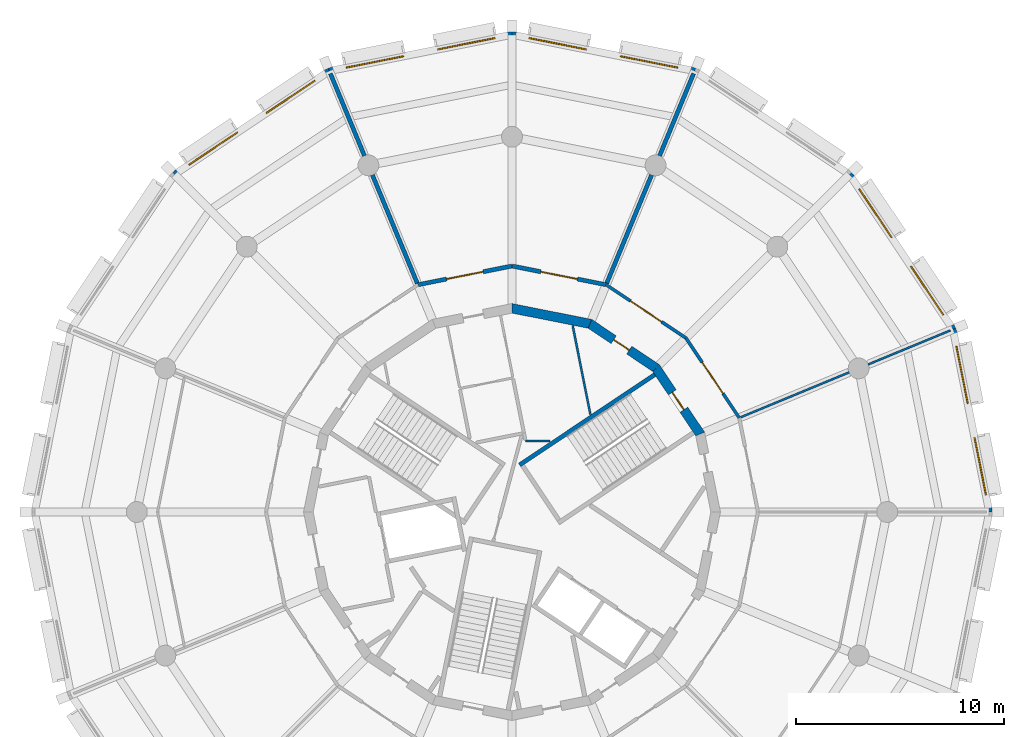
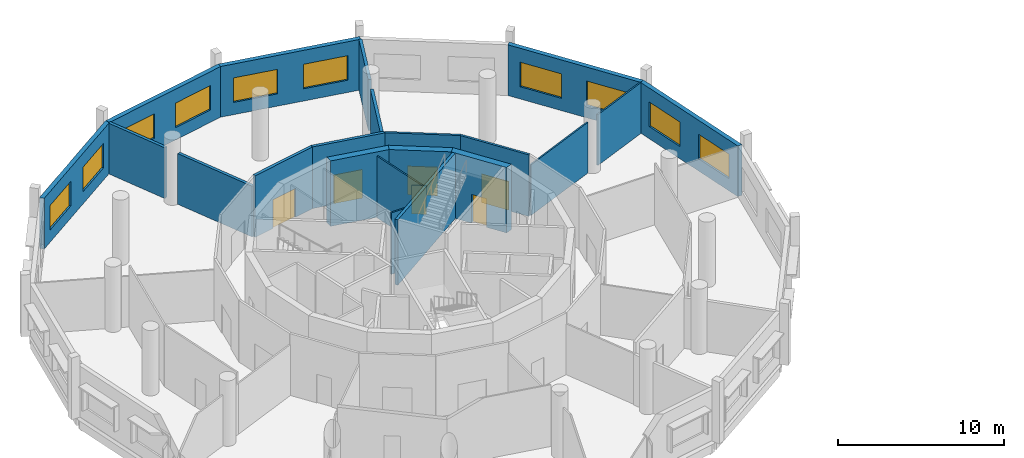
# One storey, part 6 of 8: 21 walls, 10 windows, 6 doors, 16 openings.
"""IFC4 building model written with IfcOpenShell, lengths in metres."""

import ifcopenshell
import ifcopenshell.guid

model = None  # the IFC model being written
_history = None  # IfcOwnerHistory: only IFC2X3 demands one
_inside = {}  # id of a spatial element -> (the spatial element, [elements in it])
_under = {}  # id of a project, library or spatial element -> (it, [spatial elements below it])
_declared = {}  # id of a project -> (the project, [libraries it declares])
_typed = {}  # id of a type object -> (the type object, [elements of that type])
_made_of = {}  # id of a material, layer set ... -> (it, [elements and type objects made of it])


def new_model(schema):
    """Start an empty IFC model of exactly this schema.

    Asked for "IFC4X3", IfcOpenShell would pick the latest addendum, in which some entities
    have other attributes; the version numbers below select the first issue.
    IFC2X3 requires an IfcOwnerHistory on every rooted entity: one is made here for all.
    """
    global model, _history
    if schema == "IFC4X3":
        model = ifcopenshell.file(schema_version=(4, 3, 0, 0))
    else:
        model = ifcopenshell.file(schema=schema)
    _inside.clear()
    _under.clear()
    _declared.clear()
    _typed.clear()
    _made_of.clear()
    _history = None
    if model.schema == "IFC2X3":
        org = make("IfcOrganization", Name="unknown")
        user = make(
            "IfcPersonAndOrganization",
            ThePerson=make("IfcPerson", FamilyName="unknown"),
            TheOrganization=org,
        )
        app = make(
            "IfcApplication",
            ApplicationDeveloper=org,
            Version="unknown",
            ApplicationFullName="unknown",
            ApplicationIdentifier="unknown",
        )
        _history = make(
            "IfcOwnerHistory",
            OwningUser=user,
            OwningApplication=app,
            ChangeAction="ADDED",
            CreationDate=0,
        )
    return model


def make(cls, **values):
    """One entity of the class cls with the attributes given. An attribute that is None is left unset."""
    return model.create_entity(
        cls, **{name: value for name, value in values.items() if value is not None}
    )


def rooted(cls, **values):
    """An entity with a GlobalId (a new one), such as an element, a storey or a relation."""
    return make(cls, GlobalId=ifcopenshell.guid.new(), OwnerHistory=_history, **values)


def si_unit(unit_type, name, prefix=None):
    """IfcSIUnit, for example si_unit("LENGTHUNIT", "METRE", prefix="MILLI")."""
    return make("IfcSIUnit", UnitType=unit_type, Prefix=prefix, Name=name)


def assignment(units):
    """IfcUnitAssignment: the units of a project."""
    return None if units is None else make("IfcUnitAssignment", Units=units)


def point(xyz):
    """IfcCartesianPoint."""
    return None if xyz is None else make("IfcCartesianPoint", Coordinates=xyz)


def direction(xyz):
    """IfcDirection."""
    return None if xyz is None else make("IfcDirection", DirectionRatios=xyz)


def frame(location, z_axis=None, x_axis=None):
    """IfcAxis2Placement3D, a coordinate frame: its origin and axes. An axis left out is left unset."""
    return make(
        "IfcAxis2Placement3D",
        Location=point(location),
        Axis=direction(z_axis),
        RefDirection=direction(x_axis),
    )


def frame_2d(location, x_axis=None):
    """IfcAxis2Placement2D, a coordinate frame in the plane: its origin and x axis."""
    return make(
        "IfcAxis2Placement2D", Location=point(location), RefDirection=direction(x_axis)
    )


def origin():
    """The frame at (0, 0, 0) with its axes left unset."""
    return frame((0.0, 0.0, 0.0))


def place(relative_to, where):
    """IfcLocalPlacement: puts the frame where relative to a parent placement (None: the world)."""
    return make(
        "IfcLocalPlacement", PlacementRelTo=relative_to, RelativePlacement=where
    )


def context(
    kind, dimensions, precision=None, world=None, true_north=None, identifier=None
):
    """IfcGeometricRepresentationContext, for example the 3D "Model" context."""
    return make(
        "IfcGeometricRepresentationContext",
        ContextIdentifier=identifier,
        ContextType=kind,
        CoordinateSpaceDimension=dimensions,
        Precision=precision,
        WorldCoordinateSystem=world,
        TrueNorth=true_north,
    )


def subcontext(parent, identifier, kind, view, scale=None):
    """IfcGeometricRepresentationSubContext, for example "Body" below "Model"."""
    return make(
        "IfcGeometricRepresentationSubContext",
        ContextIdentifier=identifier,
        ContextType=kind,
        ParentContext=parent,
        TargetScale=scale,
        TargetView=view,
    )


def project(units=None, contexts=None):
    """IfcProject with its units and contexts."""
    return rooted(
        "IfcProject",
        Name="project",
        RepresentationContexts=contexts,
        UnitsInContext=assignment(units),
    )


def spatial(cls, under=None, at=None, **own):
    """A site, building, storey or space (cls), placed at a placement, below another one or the project."""
    s = rooted(cls, ObjectPlacement=at, **own)
    if under is not None:
        _under.setdefault(under.id(), (under, []))[1].append(s)
    return s


def polyline(points):
    """IfcPolyline through the points."""
    return make("IfcPolyline", Points=[point(p) for p in points])


def profile(cls, at=None, kind="AREA", **sizes):
    """A parametric profile (cls). Its sizes go by their IFC names, for example OverallWidth=200.0."""
    return make(cls, ProfileType=kind, Position=at, **sizes)


def rectangle(**sizes):
    """IfcRectangleProfileDef."""
    return profile("IfcRectangleProfileDef", **sizes)


def outline(outer, holes=None, kind="AREA"):
    """IfcArbitraryClosedProfileDef: a profile drawn as a closed curve; with holes, ...WithVoids."""
    if holes is None:
        return make("IfcArbitraryClosedProfileDef", ProfileType=kind, OuterCurve=outer)
    return make(
        "IfcArbitraryProfileDefWithVoids",
        ProfileType=kind,
        OuterCurve=outer,
        InnerCurves=holes,
    )


def extrude(swept, where, along, depth):
    """IfcExtrudedAreaSolid: the profile swept, set in the frame where, extruded along a direction by depth."""
    return make(
        "IfcExtrudedAreaSolid",
        SweptArea=swept,
        Position=where,
        ExtrudedDirection=direction(along),
        Depth=depth,
    )


def shape(context_of_items, identifier, shape_type, items):
    """IfcShapeRepresentation: the items that make up one representation, for example the "Body"."""
    return make(
        "IfcShapeRepresentation",
        ContextOfItems=context_of_items,
        RepresentationIdentifier=identifier,
        RepresentationType=shape_type,
        Items=items,
    )


def material(Name=None, Category=None):
    """IfcMaterial."""
    return make("IfcMaterial", Name=Name, Category=Category)


def layer(
    of_material, thickness, ventilated=None, Name=None, Category=None, Priority=None
):
    """IfcMaterialLayer: one layer of a wall or slab, of a material (None: an air gap)."""
    return make(
        "IfcMaterialLayer",
        Material=of_material,
        LayerThickness=thickness,
        IsVentilated=ventilated,
        Name=Name,
        Category=Category,
        Priority=Priority,
    )


def layer_set(layers, Name=None):
    """IfcMaterialLayerSet."""
    return make("IfcMaterialLayerSet", MaterialLayers=layers, LayerSetName=Name)


def made_of(thing, what):
    """Note that an element or type object is made of a material, layer set ...; save() writes the relation."""
    if what is not None:
        _made_of.setdefault(what.id(), (what, []))[1].append(thing)
    return thing


def type_object(cls, material=None, **own):
    """A type object (cls), such as IfcWallType, which elements share."""
    return made_of(rooted(cls, **own), material)


def element(
    cls,
    number,
    at=None,
    inside=None,
    cuts=None,
    type_object=None,
    material=None,
    context=None,
    identifier="Body",
    shape_type=None,
    held_by="IfcProductDefinitionShape",
    body=None,
    shapes=None,
    **own,
):
    """One element of the class cls, such as IfcWall. Its Tag is "e" and its number.

    at: its placement. inside: the storey or other place that contains it. cuts: it is an
    opening in that element (IfcRelVoidsElement). A single representation is given by context,
    identifier, shape_type and body (its items); several are given by shapes. held_by: the class
    of the entity that holds the representations. save() writes the other relations.
    """
    e = rooted(cls, Tag="e%d" % number, ObjectPlacement=at, **own)
    if body is not None:
        shapes = [shape(context, identifier, shape_type, body)]
    if shapes is not None:
        e.Representation = make(held_by, Representations=shapes)
    if inside is not None:
        _inside.setdefault(inside.id(), (inside, []))[1].append(e)
    if cuts is not None:
        rooted(
            "IfcRelVoidsElement", RelatingBuildingElement=cuts, RelatedOpeningElement=e
        )
    if type_object is not None:
        _typed.setdefault(type_object.id(), (type_object, []))[1].append(e)
    return made_of(e, material)


def fill(opening, filler):
    """IfcRelFillsElement: the door or window that sits in an opening."""
    return rooted(
        "IfcRelFillsElement",
        RelatingOpeningElement=opening,
        RelatedBuildingElement=filler,
    )


def aggregate(whole, parts):
    """IfcRelAggregates: a whole, such as a stair, and the parts it consists of."""
    return rooted("IfcRelAggregates", RelatingObject=whole, RelatedObjects=parts)


def save(model, path):
    """Write the relations noted so far, then the file.

    IfcRelAggregates (storeys below a building ...), IfcRelContainedInSpatialStructure (elements
    in a storey), IfcRelDefinesByType, IfcRelAssociatesMaterial and IfcRelDeclares: one each for
    every whole, place, type object, material and project.
    """
    for whole, parts in _under.values():
        aggregate(whole, parts)
    for where, things in _inside.values():
        rooted(
            "IfcRelContainedInSpatialStructure",
            RelatedElements=things,
            RelatingStructure=where,
        )
    for kind, things in _typed.values():
        rooted("IfcRelDefinesByType", RelatedObjects=things, RelatingType=kind)
    for what, things in _made_of.values():
        rooted("IfcRelAssociatesMaterial", RelatedObjects=things, RelatingMaterial=what)
    for by, libraries in _declared.values():
        rooted("IfcRelDeclares", RelatingContext=by, RelatedDefinitions=libraries)
    model.write(path)


model = new_model("IFC4")

# Units and contexts
model_context = context("Model", 3, precision=1e-05, world=origin(), true_north=direction((0.0, 1.0)))
body_context = subcontext(model_context, "Body", "Model", "MODEL_VIEW")
ifc_project = project(units=[si_unit("LENGTHUNIT", "METRE"), si_unit("AREAUNIT", "SQUARE_METRE"), si_unit("VOLUMEUNIT", "CUBIC_METRE"), si_unit("PLANEANGLEUNIT", "RADIAN"), si_unit("MASSUNIT", "GRAM", prefix="KILO")], contexts=[model_context])

# Site, building, storey
site_placement = place(None, origin())
site = spatial("IfcSite", under=ifc_project, at=site_placement, CompositionType="ELEMENT")
building_placement = place(site_placement, origin())
building = spatial("IfcBuilding", under=site, at=building_placement, Name="Ceibo Conservatory and Research Tower", CompositionType="ELEMENT")
storey_placement = place(building_placement, frame((0.0, 0.0, 10.800048828125)))
storey = spatial("IfcBuildingStorey", under=building, at=storey_placement, Name="L02", CompositionType="ELEMENT", Elevation=10.800048828125)

# Wall, opening, door
ifc_material_1 = material(Name="Masonry blockwork", Category="masonry")
ifc_layer_1 = layer(ifc_material_1, 0.199951171875)
ifc_layer_set_1 = layer_set([ifc_layer_1], Name="Masonry blockwork")
wall_type_1 = type_object("IfcWallType", Name="Compartment wall 200 EI 120", PredefinedType="SOLIDWALL", material=ifc_layer_set_1)
wall_1_placement = place(storey_placement, frame((48.0, 131.800048828125, 0.0), z_axis=(0.0, 0.0, 1.0), x_axis=(0.980786124026, -0.19508608079, 0.0)))
wall_1 = element("IfcWall", 1, at=wall_1_placement, inside=storey, type_object=wall_type_1, Name="Partition 02.004", PredefinedType="SOLIDWALL", context=body_context, shape_type="SweptSolid", body=[
    extrude(rectangle(XDim=4.60400390625, YDim=0.199951171875, at=frame_2d((2.302001953125, 0.0))), origin(), (0.0, 0.0, 1.0), 4.52001953125),
])
opening_1_placement = place(wall_1_placement, frame((1.402099609375, 0.0, 0.0)))
opening_1 = element("IfcOpeningElement", 2, at=opening_1_placement, cuts=wall_1, Name="Opening T02-17", PredefinedType="OPENING", context=body_context, shape_type="SweptSolid", body=[
    extrude(rectangle(XDim=1.800048828125, YDim=2.10009765625, at=frame_2d((0.89990234375, 1.050048828125))), frame((0.0, 0.10986328125, 0.0), z_axis=(0.0, -1.0, 0.0), x_axis=(1.0, 0.0, 0.0)), (0.0, 0.0, 1.0), 0.219970703125),
])
ifc_material_2 = material(Name="Galvanised sheet steel DX51D", Category="steel")
door_type_1 = type_object("IfcDoorType", Name="Door fire double 1800x2100 EI 60", OperationType="DOUBLE_DOOR_SINGLE_SWING", PredefinedType="DOOR", material=ifc_material_2)
door_1_placement = place(opening_1_placement, origin())
door_1 = element("IfcDoor", 3, at=door_1_placement, inside=storey, type_object=door_type_1, Name="Door T02-17", OperationType="DOUBLE_DOOR_SINGLE_SWING", OverallHeight=2.10009765625, OverallWidth=1.800048828125, PredefinedType="DOOR", context=body_context, shape_type="SweptSolid", body=[
    extrude(rectangle(XDim=1.800048828125, YDim=2.10009765625, at=frame_2d((0.89990234375, 1.050048828125))), frame((0.0, 0.02490234375, 0.0), z_axis=(0.0, -1.0, 0.0), x_axis=(1.0, 0.0, 0.0)), (0.0, 0.0, 1.0), 0.050048828125),
])
fill(opening_1, door_1)

wall_2_placement = place(storey_placement, frame((43.484375, 130.90185546875, 0.0), z_axis=(0.0, 0.0, 1.0), x_axis=(0.980786124026, 0.19508608079, 0.0)))
wall_2 = element("IfcWall", 4, at=wall_2_placement, inside=storey, type_object=wall_type_1, Name="Partition 02.006", PredefinedType="SOLIDWALL", context=body_context, shape_type="SweptSolid", body=[
    extrude(rectangle(XDim=4.60400390625, YDim=0.199951171875, at=frame_2d((2.302001953125, 0.0))), origin(), (0.0, 0.0, 1.0), 4.52001953125),
])
opening_2_placement = place(wall_2_placement, frame((1.402099609375, 0.0, 0.0)))
opening_2 = element("IfcOpeningElement", 5, at=opening_2_placement, cuts=wall_2, Name="Opening T02-18", PredefinedType="OPENING", context=body_context, shape_type="SweptSolid", body=[
    extrude(rectangle(XDim=1.800048828125, YDim=2.10009765625, at=frame_2d((0.89990234375, 1.050048828125))), frame((0.0, 0.10986328125, 0.0), z_axis=(0.0, -1.0, 0.0), x_axis=(1.0, 0.0, 0.0)), (0.0, 0.0, 1.0), 0.219970703125),
])
door_2_placement = place(opening_2_placement, origin())
door_2 = element("IfcDoor", 6, at=door_2_placement, inside=storey, type_object=door_type_1, Name="Door T02-18", OperationType="DOUBLE_DOOR_SINGLE_SWING", OverallHeight=2.10009765625, OverallWidth=1.800048828125, PredefinedType="DOOR", context=body_context, shape_type="SweptSolid", body=[
    extrude(rectangle(XDim=1.800048828125, YDim=2.10009765625, at=frame_2d((0.89990234375, 1.050048828125))), frame((0.0, 0.02490234375, 0.0), z_axis=(0.0, -1.0, 0.0), x_axis=(1.0, 0.0, 0.0)), (0.0, 0.0, 1.0), 0.050048828125),
])
fill(opening_2, door_2)

# Walls
wall_3_placement = place(storey_placement, frame((52.54296875, 130.9677734375, 0.0), z_axis=(0.0, 0.0, 1.0), x_axis=(0.38266536058, 0.923887017883, 0.0)))
element("IfcWall", 7, at=wall_3_placement, inside=storey, type_object=wall_type_1, Name="Partition 02.047", PredefinedType="SOLIDWALL", context=body_context, shape_type="SweptSolid", body=[
    extrude(rectangle(XDim=5.638671875, YDim=0.199951171875, at=frame_2d((2.8193359375, 0.0))), origin(), (0.0, 0.0, 1.0), 3.719970703125),
])
for number, where, z_axis, x_axis, name in (
    (8, (55.075927734375, 137.08251953125, 0.0), (0.0, 0.0, 1.0), (0.382681166404, 0.9238804711, 0.0), "Partition 02.048"),
    (9, (40.924072265625, 137.08251953125, 0.0), (0.0, 0.0, 1.0), (-0.382681166404, 0.9238804711, 0.0), "Partition 02.049"),
):
    element("IfcWall", number, at=place(storey_placement, frame(where, z_axis=z_axis, x_axis=x_axis)), inside=storey, type_object=wall_type_1, Name=name, PredefinedType="SOLIDWALL", context=body_context, shape_type="SweptSolid", body=[
        extrude(rectangle(XDim=4.27685546875, YDim=0.199951171875, at=frame_2d((2.138427734375, 0.0))), origin(), (0.0, 0.0, 1.0), 3.719970703125),
    ])
wall_4_placement = place(storey_placement, frame((43.45703125, 130.9677734375, 0.0), z_axis=(0.0, 0.0, 1.0), x_axis=(-0.38266536058, 0.923887017883, 0.0)))
element("IfcWall", 10, at=wall_4_placement, inside=storey, type_object=wall_type_1, Name="Partition 02.050", PredefinedType="SOLIDWALL", context=body_context, shape_type="SweptSolid", body=[
    extrude(rectangle(XDim=5.638671875, YDim=0.199951171875, at=frame_2d((2.8193359375, 0.0))), origin(), (0.0, 0.0, 1.0), 3.719970703125),
])
ifc_material_3 = material(Name="Plasterboard on metal studs")
ifc_layer_2 = layer(ifc_material_3, 0.10009765625)
ifc_layer_set_2 = layer_set([ifc_layer_2], Name="Plasterboard on metal studs")
wall_type_2 = type_object("IfcWallType", Name="Core partition 100", PredefinedType="PARTITIONING", material=ifc_layer_set_2)
wall_5_placement = place(storey_placement, frame((50.9111328125, 128.943359375, 0.0), z_axis=(0.0, 0.0, 1.0), x_axis=(0.195113868301, -0.980780596462, 0.0)))
element("IfcWall", 11, at=wall_5_placement, inside=storey, type_object=wall_type_2, Name="Core partition 02.P015", PredefinedType="PARTITIONING", context=body_context, shape_type="SweptSolid", body=[
    extrude(rectangle(XDim=4.35693359375, YDim=0.10009765625, at=frame_2d((2.178466796875, 0.0))), origin(), (0.0, 0.0, 1.0), 4.52001953125),
])
wall_6_placement = place(storey_placement, frame((49.823486328125, 123.39990234375, 0.0), z_axis=(0.0, 0.0, 1.0), x_axis=(-1.0, 0.0, 0.0)))
element("IfcWall", 12, at=wall_6_placement, inside=storey, type_object=wall_type_2, Name="Core partition 02.P016", PredefinedType="PARTITIONING", context=body_context, shape_type="SweptSolid", body=[
    extrude(rectangle(XDim=1.17431640625, YDim=0.10009765625, at=frame_2d((0.587158203125, 0.0))), origin(), (0.0, 0.0, 1.0), 4.52001953125),
])

# Wall, opening, door
ifc_material_4 = material(Name="Concrete C40/50", Category="concrete")
ifc_layer_3 = layer(ifc_material_4, 0.449951171875)
ifc_layer_set_3 = layer_set([ifc_layer_3], Name="Concrete C40/50")
wall_type_3 = type_object("IfcWallType", Name="Core wall 450 C40", PredefinedType="SHEAR", material=ifc_layer_set_3)
wall_7_placement = place(storey_placement, frame((57.02685546875, 123.739013671875, 0.0), z_axis=(0.0, 0.0, 1.0), x_axis=(-0.555542277102, 0.83148829117, 0.0)))
wall_7 = element("IfcWall", 13, at=wall_7_placement, inside=storey, type_object=wall_type_3, Name="Core wall L02 02", PredefinedType="SHEAR", context=body_context, shape_type="SweptSolid", body=[
    extrude(outline(polyline([(-0.044677734375, -0.22509765625), (3.85693359375, -0.22509765625), (3.767578125, 0.22509765625), (0.044677734375, 0.22509765625), (-0.044677734375, -0.22509765625)])), origin(), (0.0, 0.0, 1.0), 4.800048828125),
])
opening_3_placement = place(wall_7_placement, frame((1.40625, 0.0, 0.0)))
opening_3 = element("IfcOpeningElement", 14, at=opening_3_placement, cuts=wall_7, Name="Opening C02-01", PredefinedType="OPENING", context=body_context, shape_type="SweptSolid", body=[
    extrude(rectangle(XDim=1.0, YDim=2.10009765625, at=frame_2d((0.5, 1.050048828125))), frame((0.0, 0.23486328125, 0.0), z_axis=(0.0, -1.0, 0.0), x_axis=(1.0, 0.0, 0.0)), (0.0, 0.0, 1.0), 0.469970703125),
])
door_type_2 = type_object("IfcDoorType", Name="Stair door 1000x2100 EI 120 (right hand)", OperationType="SINGLE_SWING_RIGHT", PredefinedType="DOOR", material=ifc_material_2)
door_3_placement = place(opening_3_placement, origin())
door_3 = element("IfcDoor", 15, at=door_3_placement, inside=storey, type_object=door_type_2, Name="Stair door ST1 02", OperationType="SINGLE_SWING_RIGHT", OverallHeight=2.10009765625, OverallWidth=1.0, PredefinedType="DOOR", context=body_context, shape_type="SweptSolid", body=[
    extrude(rectangle(XDim=1.0, YDim=2.10009765625, at=frame_2d((0.5, 1.050048828125))), frame((0.0, 0.02490234375, 0.0), z_axis=(0.0, -1.0, 0.0), x_axis=(1.0, 0.0, 0.0)), (0.0, 0.0, 1.0), 0.050048828125),
])
fill(opening_3, door_3)

wall_8_placement = place(storey_placement, frame((54.908935546875, 126.908935546875, 0.0), z_axis=(0.0, 0.0, 1.0), x_axis=(-0.83148829117, 0.555542277102, 0.0)))
wall_8 = element("IfcWall", 16, at=wall_8_placement, inside=storey, type_object=wall_type_3, Name="Core wall L02 03", PredefinedType="SHEAR", context=body_context, shape_type="SweptSolid", body=[
    extrude(outline(polyline([(-0.044677734375, -0.22509765625), (3.85693359375, -0.22509765625), (3.767578125, 0.22509765625), (0.044677734375, 0.22509765625), (-0.044677734375, -0.22509765625)])), origin(), (0.0, 0.0, 1.0), 4.800048828125),
])
opening_4_placement = place(wall_8_placement, frame((1.544677734375, 0.0, 0.0)))
opening_4 = element("IfcOpeningElement", 17, at=opening_4_placement, cuts=wall_8, Name="Opening C02-08", PredefinedType="OPENING", context=body_context, shape_type="SweptSolid", body=[
    extrude(rectangle(XDim=0.89990234375, YDim=2.10009765625, at=frame_2d((0.449951171875, 1.050048828125))), frame((0.0, 0.23486328125, 0.0), z_axis=(0.0, -1.0, 0.0), x_axis=(1.0, 0.0, 0.0)), (0.0, 0.0, 1.0), 0.469970703125),
])
door_type_3 = type_object("IfcDoorType", Name="Riser door 900x2100 EI 60 (left hand)", OperationType="SINGLE_SWING_LEFT", PredefinedType="DOOR", material=ifc_material_2)
door_4_placement = place(opening_4_placement, frame((0.89990234375, 0.0, 0.0), z_axis=(0.0, 0.0, 1.0), x_axis=(-1.0, 0.0, 0.0)))
door_4 = element("IfcDoor", 18, at=door_4_placement, inside=storey, type_object=door_type_3, Name="Electrical Riser door 02", OperationType="SINGLE_SWING_LEFT", OverallHeight=2.10009765625, OverallWidth=0.89990234375, PredefinedType="DOOR", context=body_context, shape_type="SweptSolid", body=[
    extrude(rectangle(XDim=0.89990234375, YDim=2.10009765625, at=frame_2d((0.449951171875, 1.050048828125))), frame((0.0, 0.02490234375, 0.0), z_axis=(0.0, -1.0, 0.0), x_axis=(1.0, 0.0, 0.0)), (0.0, 0.0, 1.0), 0.050048828125),
])
fill(opening_4, door_4)

# Wall
wall_9_placement = place(storey_placement, frame((51.739013671875, 129.02685546875, 0.0), z_axis=(0.0, 0.0, 1.0), x_axis=(-0.98078948206, 0.195069197673, 0.0)))
element("IfcWall", 19, at=wall_9_placement, inside=storey, type_object=wall_type_3, Name="Core wall L02 04", PredefinedType="SHEAR", context=body_context, shape_type="SweptSolid", body=[
    extrude(outline(polyline([(-0.044677734375, -0.22509765625), (3.85693359375, -0.22509765625), (3.767578125, 0.22509765625), (0.044677734375, 0.22509765625), (-0.044677734375, -0.22509765625)])), origin(), (0.0, 0.0, 1.0), 4.800048828125),
])

# Wall, opening, door
ifc_material_5 = material(Name="Plasterboard on metal studs, fire board")
ifc_layer_4 = layer(ifc_material_5, 0.14990234375)
ifc_layer_set_4 = layer_set([ifc_layer_4], Name="Plasterboard on metal studs, fire board")
wall_type_4 = type_object("IfcWallType", Name="Corridor wall 150 EI 60", PredefinedType="PARTITIONING", material=ifc_layer_set_4)
wall_10_placement = place(storey_placement, frame((52.515625, 130.90185546875, 0.0), z_axis=(0.0, 0.0, 1.0), x_axis=(0.831486983854, -0.555544233776, 0.0)))
wall_10 = element("IfcWall", 20, at=wall_10_placement, inside=storey, type_object=wall_type_4, Name="Partition 02.002", PredefinedType="PARTITIONING", context=body_context, shape_type="SweptSolid", body=[
    extrude(rectangle(XDim=4.604248046875, YDim=0.14990234375, at=frame_2d((2.30224609375, 0.0))), origin(), (0.0, 0.0, 1.0), 4.52001953125),
])
opening_5_placement = place(wall_10_placement, frame((1.402099609375, 0.0, 0.0)))
opening_5 = element("IfcOpeningElement", 21, at=opening_5_placement, cuts=wall_10, Name="Opening T02-16", PredefinedType="OPENING", context=body_context, shape_type="SweptSolid", body=[
    extrude(rectangle(XDim=1.800048828125, YDim=2.10009765625, at=frame_2d((0.89990234375, 1.050048828125))), frame((0.0, 0.0849609375, 0.0), z_axis=(0.0, -1.0, 0.0), x_axis=(1.0, 0.0, 0.0)), (0.0, 0.0, 1.0), 0.169921875),
])
door_5_placement = place(opening_5_placement, origin())
door_5 = element("IfcDoor", 22, at=door_5_placement, inside=storey, type_object=door_type_1, Name="Door T02-16", OperationType="DOUBLE_DOOR_SINGLE_SWING", OverallHeight=2.10009765625, OverallWidth=1.800048828125, PredefinedType="DOOR", context=body_context, shape_type="SweptSolid", body=[
    extrude(rectangle(XDim=1.800048828125, YDim=2.10009765625, at=frame_2d((0.89990234375, 1.050048828125))), frame((0.0, 0.02490234375, 0.0), z_axis=(0.0, -1.0, 0.0), x_axis=(1.0, 0.0, 0.0)), (0.0, 0.0, 1.0), 0.050048828125),
])
fill(opening_5, door_5)

wall_11_placement = place(storey_placement, frame((56.343994140625, 128.343994140625, 0.0), z_axis=(0.0, 0.0, 1.0), x_axis=(0.555544233776, -0.831486983854, 0.0)))
wall_11 = element("IfcWall", 23, at=wall_11_placement, inside=storey, type_object=wall_type_4, Name="Partition 02.003", PredefinedType="PARTITIONING", context=body_context, shape_type="SweptSolid", body=[
    extrude(rectangle(XDim=4.604248046875, YDim=0.14990234375, at=frame_2d((2.30224609375, 0.0))), origin(), (0.0, 0.0, 1.0), 4.52001953125),
])
opening_6_placement = place(wall_11_placement, frame((1.402099609375, 0.0, 0.0)))
opening_6 = element("IfcOpeningElement", 24, at=opening_6_placement, cuts=wall_11, Name="Opening T02-15", PredefinedType="OPENING", context=body_context, shape_type="SweptSolid", body=[
    extrude(rectangle(XDim=1.800048828125, YDim=2.10009765625, at=frame_2d((0.89990234375, 1.050048828125))), frame((0.0, 0.0849609375, 0.0), z_axis=(0.0, -1.0, 0.0), x_axis=(1.0, 0.0, 0.0)), (0.0, 0.0, 1.0), 0.169921875),
])
door_6_placement = place(opening_6_placement, origin())
door_6 = element("IfcDoor", 25, at=door_6_placement, inside=storey, type_object=door_type_1, Name="Door T02-15", OperationType="DOUBLE_DOOR_SINGLE_SWING", OverallHeight=2.10009765625, OverallWidth=1.800048828125, PredefinedType="DOOR", context=body_context, shape_type="SweptSolid", body=[
    extrude(rectangle(XDim=1.800048828125, YDim=2.10009765625, at=frame_2d((0.89990234375, 1.050048828125))), frame((0.0, 0.02490234375, 0.0), z_axis=(0.0, -1.0, 0.0), x_axis=(1.0, 0.0, 0.0)), (0.0, 0.0, 1.0), 0.050048828125),
])
fill(opening_6, door_6)

# Wall, openings, windows
ifc_material_6 = material(Name="Ceramic mosaic tessera")
ifc_layer_5 = layer(ifc_material_6, 0.010009765625, Name="Ceramic mosaic")
ifc_material_7 = material(Name="Polymer-modified bedding mortar")
ifc_layer_6 = layer(ifc_material_7, 0.014892578125, Name="Bedding mortar")
ifc_material_8 = material(Name="Mineral wool insulation")
ifc_layer_7 = layer(ifc_material_8, 0.050048828125, Name="Insulation")
ifc_material_9 = material(Name="Concrete C30/37", Category="concrete")
ifc_layer_8 = layer(ifc_material_9, 0.215087890625, Name="Reinforced concrete leaf")
ifc_material_10 = material(Name="Gypsum plaster")
ifc_layer_9 = layer(ifc_material_10, 0.010009765625, Name="Internal plaster")
ifc_layer_set_5 = layer_set([ifc_layer_5, ifc_layer_6, ifc_layer_7, ifc_layer_8, ifc_layer_9], Name="Concrete C30/37")
wall_type_5 = type_object("IfcWallType", Name="Facade panel wall 300", PredefinedType="SOLIDWALL", material=ifc_layer_set_5)
wall_12_placement = place(storey_placement, frame((70.89990234375, 120.0, 0.0), z_axis=(0.0, 0.0, 1.0), x_axis=(-0.195091388425, 0.980785068281, 0.0)))
wall_12 = element("IfcWall", 26, at=wall_12_placement, inside=storey, type_object=wall_type_5, Name="Facade wall L02 facet 1", PredefinedType="SOLIDWALL", context=body_context, shape_type="SweptSolid", body=[
    extrude(outline(polyline([(-0.02978515625, -0.14990234375), (8.96484375, -0.14990234375), (8.9052734375, 0.14990234375), (0.02978515625, 0.14990234375), (-0.02978515625, -0.14990234375)])), origin(), (0.0, 0.0, 1.0), 3.719970703125),
])
opening_7_placement = place(wall_12_placement, frame((0.833740234375, 0.0, 0.89990234375)))
opening_7 = element("IfcOpeningElement", 27, at=opening_7_placement, cuts=wall_12, Name="Opening PW2", PredefinedType="OPENING", context=body_context, shape_type="SweptSolid", body=[
    extrude(rectangle(XDim=2.800048828125, YDim=1.800048828125, at=frame_2d((1.39990234375, 0.89990234375))), frame((0.0, 0.159912109375, 0.0), z_axis=(0.0, -1.0, 0.0), x_axis=(1.0, 0.0, 0.0)), (0.0, 0.0, 1.0), 0.320068359375),
])
opening_8_placement = place(wall_12_placement, frame((5.301513671875, 0.0, 0.89990234375)))
opening_8 = element("IfcOpeningElement", 28, at=opening_8_placement, cuts=wall_12, Name="Opening PW2", PredefinedType="OPENING", context=body_context, shape_type="SweptSolid", body=[
    extrude(rectangle(XDim=2.800048828125, YDim=1.800048828125, at=frame_2d((1.39990234375, 0.89990234375))), frame((0.0, 0.159912109375, 0.0), z_axis=(0.0, -1.0, 0.0), x_axis=(1.0, 0.0, 0.0)), (0.0, 0.0, 1.0), 0.320068359375),
])
ifc_material_11 = material(Name="Aluminium frame with double glazing", Category="aluminium")
window_type = type_object("IfcWindowType", Name="Punched window PW1 2800 x 1800", PartitioningType="DOUBLE_PANEL_VERTICAL", PredefinedType="WINDOW", material=ifc_material_11)
window_1_placement = place(opening_7_placement, origin())
window_1 = element("IfcWindow", 29, at=window_1_placement, inside=storey, type_object=window_type, Name="T.L02.F00.WIN.1", OverallHeight=1.800048828125, OverallWidth=2.800048828125, PartitioningType="DOUBLE_PANEL_VERTICAL", PredefinedType="WINDOW", context=body_context, shape_type="SweptSolid", body=[
    extrude(rectangle(XDim=2.800048828125, YDim=1.800048828125, at=frame_2d((1.39990234375, 0.89990234375))), frame((0.0, 0.030029296875, 0.0), z_axis=(0.0, -1.0, 0.0), x_axis=(1.0, 0.0, 0.0)), (0.0, 0.0, 1.0), 0.06005859375),
])
fill(opening_7, window_1)
window_2_placement = place(opening_8_placement, origin())
window_2 = element("IfcWindow", 30, at=window_2_placement, inside=storey, type_object=window_type, Name="T.L02.F00.WIN.2", OverallHeight=1.800048828125, OverallWidth=2.800048828125, PartitioningType="DOUBLE_PANEL_VERTICAL", PredefinedType="WINDOW", context=body_context, shape_type="SweptSolid", body=[
    extrude(rectangle(XDim=2.800048828125, YDim=1.800048828125, at=frame_2d((1.39990234375, 0.89990234375))), frame((0.0, 0.030029296875, 0.0), z_axis=(0.0, -1.0, 0.0), x_axis=(1.0, 0.0, 0.0)), (0.0, 0.0, 1.0), 0.06005859375),
])
fill(opening_8, window_2)

wall_13_placement = place(storey_placement, frame((69.15673828125, 128.763427734375, 0.0), z_axis=(0.0, 0.0, 1.0), x_axis=(-0.555576354317, 0.83146552215, 0.0)))
wall_13 = element("IfcWall", 31, at=wall_13_placement, inside=storey, type_object=wall_type_5, Name="Facade wall L02 facet 2", PredefinedType="SOLIDWALL", context=body_context, shape_type="SweptSolid", body=[
    extrude(outline(polyline([(-0.02978515625, -0.14990234375), (8.96484375, -0.14990234375), (8.9052734375, 0.14990234375), (0.02978515625, 0.14990234375), (-0.02978515625, -0.14990234375)])), origin(), (0.0, 0.0, 1.0), 3.719970703125),
])
opening_9_placement = place(wall_13_placement, frame((0.833740234375, 0.0, 0.89990234375)))
opening_9 = element("IfcOpeningElement", 32, at=opening_9_placement, cuts=wall_13, Name="Opening PW2", PredefinedType="OPENING", context=body_context, shape_type="SweptSolid", body=[
    extrude(rectangle(XDim=2.800048828125, YDim=1.800048828125, at=frame_2d((1.39990234375, 0.89990234375))), frame((0.0, 0.159912109375, 0.0), z_axis=(0.0, -1.0, 0.0), x_axis=(1.0, 0.0, 0.0)), (0.0, 0.0, 1.0), 0.320068359375),
])
opening_10_placement = place(wall_13_placement, frame((5.301513671875, 0.0, 0.89990234375)))
opening_10 = element("IfcOpeningElement", 33, at=opening_10_placement, cuts=wall_13, Name="Opening PW2", PredefinedType="OPENING", context=body_context, shape_type="SweptSolid", body=[
    extrude(rectangle(XDim=2.800048828125, YDim=1.800048828125, at=frame_2d((1.39990234375, 0.89990234375))), frame((0.0, 0.159912109375, 0.0), z_axis=(0.0, -1.0, 0.0), x_axis=(1.0, 0.0, 0.0)), (0.0, 0.0, 1.0), 0.320068359375),
])
window_3_placement = place(opening_9_placement, origin())
window_3 = element("IfcWindow", 34, at=window_3_placement, inside=storey, type_object=window_type, Name="T.L02.F01.WIN.1", OverallHeight=1.800048828125, OverallWidth=2.800048828125, PartitioningType="DOUBLE_PANEL_VERTICAL", PredefinedType="WINDOW", context=body_context, shape_type="SweptSolid", body=[
    extrude(rectangle(XDim=2.800048828125, YDim=1.800048828125, at=frame_2d((1.39990234375, 0.89990234375))), frame((0.0, 0.030029296875, 0.0), z_axis=(0.0, -1.0, 0.0), x_axis=(1.0, 0.0, 0.0)), (0.0, 0.0, 1.0), 0.06005859375),
])
fill(opening_9, window_3)
window_4_placement = place(opening_10_placement, origin())
window_4 = element("IfcWindow", 35, at=window_4_placement, inside=storey, type_object=window_type, Name="T.L02.F01.WIN.2", OverallHeight=1.800048828125, OverallWidth=2.800048828125, PartitioningType="DOUBLE_PANEL_VERTICAL", PredefinedType="WINDOW", context=body_context, shape_type="SweptSolid", body=[
    extrude(rectangle(XDim=2.800048828125, YDim=1.800048828125, at=frame_2d((1.39990234375, 0.89990234375))), frame((0.0, 0.030029296875, 0.0), z_axis=(0.0, -1.0, 0.0), x_axis=(1.0, 0.0, 0.0)), (0.0, 0.0, 1.0), 0.06005859375),
])
fill(opening_10, window_4)

wall_14_placement = place(storey_placement, frame((56.763427734375, 141.15673828125, 0.0), z_axis=(0.0, 0.0, 1.0), x_axis=(-0.980785068281, 0.195091388425, 0.0)))
wall_14 = element("IfcWall", 36, at=wall_14_placement, inside=storey, type_object=wall_type_5, Name="Facade wall L02 facet 4", PredefinedType="SOLIDWALL", context=body_context, shape_type="SweptSolid", body=[
    extrude(outline(polyline([(-0.02978515625, -0.14990234375), (8.96484375, -0.14990234375), (8.9052734375, 0.14990234375), (0.02978515625, 0.14990234375), (-0.02978515625, -0.14990234375)])), origin(), (0.0, 0.0, 1.0), 3.719970703125),
])
opening_11_placement = place(wall_14_placement, frame((0.833740234375, 0.0, 0.89990234375)))
opening_11 = element("IfcOpeningElement", 37, at=opening_11_placement, cuts=wall_14, Name="Opening PW2", PredefinedType="OPENING", context=body_context, shape_type="SweptSolid", body=[
    extrude(rectangle(XDim=2.800048828125, YDim=1.800048828125, at=frame_2d((1.39990234375, 0.89990234375))), frame((0.0, 0.159912109375, 0.0), z_axis=(0.0, -1.0, 0.0), x_axis=(1.0, 0.0, 0.0)), (0.0, 0.0, 1.0), 0.320068359375),
])
opening_12_placement = place(wall_14_placement, frame((5.301513671875, 0.0, 0.89990234375)))
opening_12 = element("IfcOpeningElement", 38, at=opening_12_placement, cuts=wall_14, Name="Opening PW2", PredefinedType="OPENING", context=body_context, shape_type="SweptSolid", body=[
    extrude(rectangle(XDim=2.800048828125, YDim=1.800048828125, at=frame_2d((1.39990234375, 0.89990234375))), frame((0.0, 0.159912109375, 0.0), z_axis=(0.0, -1.0, 0.0), x_axis=(1.0, 0.0, 0.0)), (0.0, 0.0, 1.0), 0.320068359375),
])
window_5_placement = place(opening_11_placement, origin())
window_5 = element("IfcWindow", 39, at=window_5_placement, inside=storey, type_object=window_type, Name="T.L02.F03.WIN.1", OverallHeight=1.800048828125, OverallWidth=2.800048828125, PartitioningType="DOUBLE_PANEL_VERTICAL", PredefinedType="WINDOW", context=body_context, shape_type="SweptSolid", body=[
    extrude(rectangle(XDim=2.800048828125, YDim=1.800048828125, at=frame_2d((1.39990234375, 0.89990234375))), frame((0.0, 0.030029296875, 0.0), z_axis=(0.0, -1.0, 0.0), x_axis=(1.0, 0.0, 0.0)), (0.0, 0.0, 1.0), 0.06005859375),
])
fill(opening_11, window_5)
window_6_placement = place(opening_12_placement, origin())
window_6 = element("IfcWindow", 40, at=window_6_placement, inside=storey, type_object=window_type, Name="T.L02.F03.WIN.2", OverallHeight=1.800048828125, OverallWidth=2.800048828125, PartitioningType="DOUBLE_PANEL_VERTICAL", PredefinedType="WINDOW", context=body_context, shape_type="SweptSolid", body=[
    extrude(rectangle(XDim=2.800048828125, YDim=1.800048828125, at=frame_2d((1.39990234375, 0.89990234375))), frame((0.0, 0.030029296875, 0.0), z_axis=(0.0, -1.0, 0.0), x_axis=(1.0, 0.0, 0.0)), (0.0, 0.0, 1.0), 0.06005859375),
])
fill(opening_12, window_6)

wall_15_placement = place(storey_placement, frame((48.0, 142.89990234375, 0.0), z_axis=(0.0, 0.0, 1.0), x_axis=(-0.980785068281, -0.195091388425, 0.0)))
wall_15 = element("IfcWall", 41, at=wall_15_placement, inside=storey, type_object=wall_type_5, Name="Facade wall L02 facet 5", PredefinedType="SOLIDWALL", context=body_context, shape_type="SweptSolid", body=[
    extrude(outline(polyline([(-0.02978515625, -0.14990234375), (8.96484375, -0.14990234375), (8.9052734375, 0.14990234375), (0.02978515625, 0.14990234375), (-0.02978515625, -0.14990234375)])), origin(), (0.0, 0.0, 1.0), 3.719970703125),
])
opening_13_placement = place(wall_15_placement, frame((0.833740234375, 0.0, 0.89990234375)))
opening_13 = element("IfcOpeningElement", 42, at=opening_13_placement, cuts=wall_15, Name="Opening PW2", PredefinedType="OPENING", context=body_context, shape_type="SweptSolid", body=[
    extrude(rectangle(XDim=2.800048828125, YDim=1.800048828125, at=frame_2d((1.39990234375, 0.89990234375))), frame((0.0, 0.159912109375, 0.0), z_axis=(0.0, -1.0, 0.0), x_axis=(1.0, 0.0, 0.0)), (0.0, 0.0, 1.0), 0.320068359375),
])
opening_14_placement = place(wall_15_placement, frame((5.301513671875, 0.0, 0.89990234375)))
opening_14 = element("IfcOpeningElement", 43, at=opening_14_placement, cuts=wall_15, Name="Opening PW2", PredefinedType="OPENING", context=body_context, shape_type="SweptSolid", body=[
    extrude(rectangle(XDim=2.800048828125, YDim=1.800048828125, at=frame_2d((1.39990234375, 0.89990234375))), frame((0.0, 0.159912109375, 0.0), z_axis=(0.0, -1.0, 0.0), x_axis=(1.0, 0.0, 0.0)), (0.0, 0.0, 1.0), 0.320068359375),
])
window_7_placement = place(opening_13_placement, origin())
window_7 = element("IfcWindow", 44, at=window_7_placement, inside=storey, type_object=window_type, Name="T.L02.F04.WIN.1", OverallHeight=1.800048828125, OverallWidth=2.800048828125, PartitioningType="DOUBLE_PANEL_VERTICAL", PredefinedType="WINDOW", context=body_context, shape_type="SweptSolid", body=[
    extrude(rectangle(XDim=2.800048828125, YDim=1.800048828125, at=frame_2d((1.39990234375, 0.89990234375))), frame((0.0, 0.030029296875, 0.0), z_axis=(0.0, -1.0, 0.0), x_axis=(1.0, 0.0, 0.0)), (0.0, 0.0, 1.0), 0.06005859375),
])
fill(opening_13, window_7)
window_8_placement = place(opening_14_placement, origin())
window_8 = element("IfcWindow", 45, at=window_8_placement, inside=storey, type_object=window_type, Name="T.L02.F04.WIN.2", OverallHeight=1.800048828125, OverallWidth=2.800048828125, PartitioningType="DOUBLE_PANEL_VERTICAL", PredefinedType="WINDOW", context=body_context, shape_type="SweptSolid", body=[
    extrude(rectangle(XDim=2.800048828125, YDim=1.800048828125, at=frame_2d((1.39990234375, 0.89990234375))), frame((0.0, 0.030029296875, 0.0), z_axis=(0.0, -1.0, 0.0), x_axis=(1.0, 0.0, 0.0)), (0.0, 0.0, 1.0), 0.06005859375),
])
fill(opening_14, window_8)

wall_16_placement = place(storey_placement, frame((39.236572265625, 141.15673828125, 0.0), z_axis=(0.0, 0.0, 1.0), x_axis=(-0.83146552215, -0.555576354317, 0.0)))
wall_16 = element("IfcWall", 46, at=wall_16_placement, inside=storey, type_object=wall_type_5, Name="Facade wall L02 facet 6", PredefinedType="SOLIDWALL", context=body_context, shape_type="SweptSolid", body=[
    extrude(outline(polyline([(-0.02978515625, -0.14990234375), (8.96484375, -0.14990234375), (8.9052734375, 0.14990234375), (0.02978515625, 0.14990234375), (-0.02978515625, -0.14990234375)])), origin(), (0.0, 0.0, 1.0), 3.719970703125),
])
opening_15_placement = place(wall_16_placement, frame((0.833740234375, 0.0, 0.89990234375)))
opening_15 = element("IfcOpeningElement", 47, at=opening_15_placement, cuts=wall_16, Name="Opening PW2", PredefinedType="OPENING", context=body_context, shape_type="SweptSolid", body=[
    extrude(rectangle(XDim=2.800048828125, YDim=1.800048828125, at=frame_2d((1.39990234375, 0.89990234375))), frame((0.0, 0.159912109375, 0.0), z_axis=(0.0, -1.0, 0.0), x_axis=(1.0, 0.0, 0.0)), (0.0, 0.0, 1.0), 0.320068359375),
])
opening_16_placement = place(wall_16_placement, frame((5.301513671875, 0.0, 0.89990234375)))
opening_16 = element("IfcOpeningElement", 48, at=opening_16_placement, cuts=wall_16, Name="Opening PW2", PredefinedType="OPENING", context=body_context, shape_type="SweptSolid", body=[
    extrude(rectangle(XDim=2.800048828125, YDim=1.800048828125, at=frame_2d((1.39990234375, 0.89990234375))), frame((0.0, 0.159912109375, 0.0), z_axis=(0.0, -1.0, 0.0), x_axis=(1.0, 0.0, 0.0)), (0.0, 0.0, 1.0), 0.320068359375),
])
window_9_placement = place(opening_15_placement, origin())
window_9 = element("IfcWindow", 49, at=window_9_placement, inside=storey, type_object=window_type, Name="T.L02.F05.WIN.1", OverallHeight=1.800048828125, OverallWidth=2.800048828125, PartitioningType="DOUBLE_PANEL_VERTICAL", PredefinedType="WINDOW", context=body_context, shape_type="SweptSolid", body=[
    extrude(rectangle(XDim=2.800048828125, YDim=1.800048828125, at=frame_2d((1.39990234375, 0.89990234375))), frame((0.0, 0.030029296875, 0.0), z_axis=(0.0, -1.0, 0.0), x_axis=(1.0, 0.0, 0.0)), (0.0, 0.0, 1.0), 0.06005859375),
])
fill(opening_15, window_9)
window_10_placement = place(opening_16_placement, origin())
window_10 = element("IfcWindow", 50, at=window_10_placement, inside=storey, type_object=window_type, Name="T.L02.F05.WIN.2", OverallHeight=1.800048828125, OverallWidth=2.800048828125, PartitioningType="DOUBLE_PANEL_VERTICAL", PredefinedType="WINDOW", context=body_context, shape_type="SweptSolid", body=[
    extrude(rectangle(XDim=2.800048828125, YDim=1.800048828125, at=frame_2d((1.39990234375, 0.89990234375))), frame((0.0, 0.030029296875, 0.0), z_axis=(0.0, -1.0, 0.0), x_axis=(1.0, 0.0, 0.0)), (0.0, 0.0, 1.0), 0.06005859375),
])
fill(opening_16, window_10)

# Walls
ifc_layer_10 = layer(ifc_material_3, 0.10009765625)
ifc_layer_set_6 = layer_set([ifc_layer_10], Name="Plasterboard on metal studs")
wall_type_6 = type_object("IfcWallType", Name="Partition 100", PredefinedType="PARTITIONING", material=ifc_layer_set_6)
wall_17_placement = place(storey_placement, frame((58.9677734375, 124.54296875, 0.0), z_axis=(0.0, 0.0, 1.0), x_axis=(0.923887017883, 0.38266536058, 0.0)))
element("IfcWall", 51, at=wall_17_placement, inside=storey, type_object=wall_type_6, Name="Partition 02.045", PredefinedType="PARTITIONING", context=body_context, shape_type="SweptSolid", body=[
    extrude(rectangle(XDim=5.638671875, YDim=0.10009765625, at=frame_2d((2.8193359375, 0.0))), origin(), (0.0, 0.0, 1.0), 3.719970703125),
])
wall_18_placement = place(storey_placement, frame((65.08251953125, 127.075927734375, 0.0), z_axis=(0.0, 0.0, 1.0), x_axis=(0.9238804711, 0.382681166404, 0.0)))
element("IfcWall", 52, at=wall_18_placement, inside=storey, type_object=wall_type_6, Name="Partition 02.046", PredefinedType="PARTITIONING", context=body_context, shape_type="SweptSolid", body=[
    extrude(rectangle(XDim=4.27685546875, YDim=0.10009765625, at=frame_2d((2.138427734375, 0.0))), origin(), (0.0, 0.0, 1.0), 3.719970703125),
])
ifc_layer_11 = layer(ifc_material_4, 0.199951171875)
ifc_layer_set_7 = layer_set([ifc_layer_11], Name="Concrete C40/50")
wall_type_7 = type_object("IfcWallType", Name="Stair wall 200 C40", PredefinedType="SHEAR", material=ifc_layer_set_7)
wall_19_placement = place(storey_placement, frame((48.36474609375, 122.25830078125, 0.0), z_axis=(0.0, 0.0, 1.0), x_axis=(0.831476803301, 0.555559470779, 0.0)))
element("IfcWall", 53, at=wall_19_placement, inside=storey, type_object=wall_type_7, Name="Stair wall ST1.W1 L02", PredefinedType="SHEAR", context=body_context, shape_type="SweptSolid", body=[
    extrude(rectangle(XDim=7.7998046875, YDim=0.199951171875, at=frame_2d((3.89990234375, 0.0))), origin(), (0.0, 0.0, 1.0), 4.800048828125),
])

save(model, "model.ifc")
